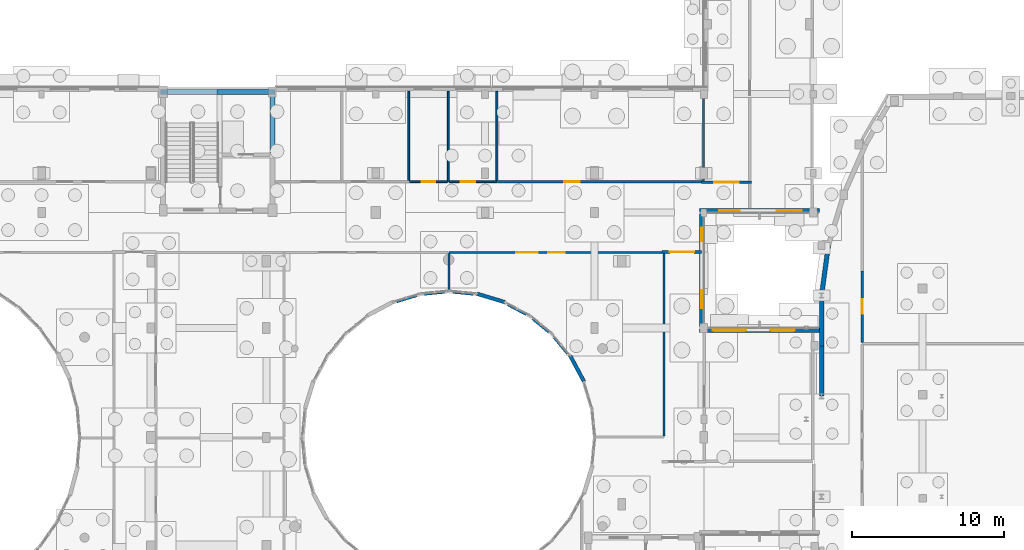
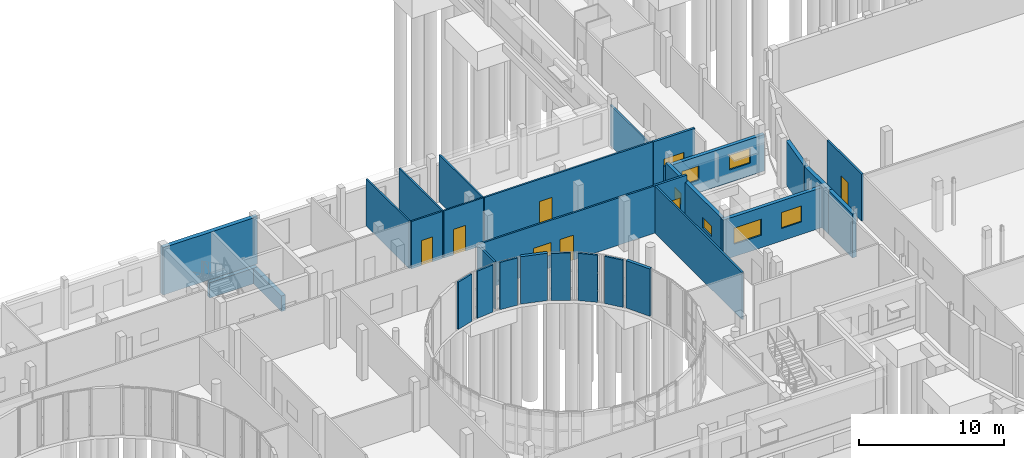
# One storey, part 73 of 93: 30 walls, 7 doors, 7 windows, 14 openings.
"""IFC4 building model written with IfcOpenShell, lengths in metres."""

from ifc_helpers import new_model, si_unit, direction, frame, frame_2d, origin, place, context, subcontext, project, spatial, rectangle, extrude, material, layer, layer_set, type_object, element, fill, save


model = new_model("IFC4")

# Units and contexts
model_context = context("Model", 3, precision=1e-05, world=origin(), true_north=direction((0.0, 1.0)))
body_context = subcontext(model_context, "Body", "Model", "MODEL_VIEW")
ifc_project = project(units=[si_unit("LENGTHUNIT", "METRE"), si_unit("AREAUNIT", "SQUARE_METRE"), si_unit("VOLUMEUNIT", "CUBIC_METRE"), si_unit("PLANEANGLEUNIT", "RADIAN"), si_unit("MASSUNIT", "GRAM", prefix="KILO")], contexts=[model_context])

# Site, building, storey
site_placement = place(None, origin())
site = spatial("IfcSite", under=ifc_project, at=site_placement, CompositionType="ELEMENT")
building_placement = place(site_placement, origin())
building = spatial("IfcBuilding", under=site, at=building_placement, Name="Kelanivale Promenade Academy", CompositionType="ELEMENT")
storey_placement = place(building_placement, origin())
storey = spatial("IfcBuildingStorey", under=building, at=storey_placement, Name="L00", CompositionType="ELEMENT", Elevation=0.0)

# Walls
ifc_material_1 = material(Name="Concrete C40/50", Category="concrete")
ifc_layer_1 = layer(ifc_material_1, 0.330078125)
ifc_layer_set_1 = layer_set([ifc_layer_1], Name="Concrete C40/50")
wall_type_1 = type_object("IfcWallType", Name="CW-S1 Wall 330mm", PredefinedType="SHEAR", material=ifc_layer_set_1)
wall_1_placement = place(storey_placement, frame((83.554931640625, 79.550048828125, -1.550048828125), z_axis=(0.0, 0.0, 1.0), x_axis=(1.0, 0.0, 0.0)))
element("IfcWall", 1, at=wall_1_placement, inside=storey, type_object=wall_type_1, Name="CORE-2 lift pit wall", PredefinedType="SHEAR", context=body_context, shape_type="SweptSolid", body=[
    extrude(rectangle(XDim=3.81005859375, YDim=0.330078125, at=frame_2d((1.905029296875, 0.0))), origin(), (0.0, 0.0, 1.0), 1.300048828125),
])
wall_2_placement = place(storey_placement, frame((87.199951171875, 75.52490234375, -1.550048828125), z_axis=(0.0, 0.0, 1.0), x_axis=(0.0, 1.0, 0.0)))
element("IfcWall", 2, at=wall_2_placement, inside=storey, type_object=wall_type_1, Name="CORE-2 lift pit wall", PredefinedType="SHEAR", context=body_context, shape_type="SweptSolid", body=[
    extrude(rectangle(XDim=3.860107421875, YDim=0.330078125, at=frame_2d((1.93017578125, 0.0))), origin(), (0.0, 0.0, 1.0), 1.300048828125),
])
wall_3_placement = place(storey_placement, frame((79.8349609375, 79.550048828125, 0.0), z_axis=(0.0, 0.0, 1.0), x_axis=(1.0, 0.0, 0.0)))
element("IfcWall", 3, at=wall_3_placement, inside=storey, type_object=wall_type_1, Name="CORE-2 RC shear wall N L00", PredefinedType="SHEAR", context=body_context, shape_type="SweptSolid", body=[
    extrude(rectangle(XDim=7.530029296875, YDim=0.330078125, at=frame_2d((3.76513671875, 0.0))), origin(), (0.0, 0.0, 1.0), 3.97998046875),
])
ifc_material_2 = material(Name="Insulated terracotta-clad masonry wall 300 mm", Category="masonry")
ifc_layer_2 = layer(ifc_material_2, 0.300048828125)
ifc_layer_set_2 = layer_set([ifc_layer_2], Name="Insulated terracotta-clad masonry wall 300 mm")
wall_type_2 = type_object("IfcWallType", Name="EW-01 Wall 300mm", PredefinedType="SOLIDWALL", material=ifc_layer_set_2)
wall_4_placement = place(storey_placement, frame((123.35009765625, 62.8291015625, 0.0), z_axis=(0.0, 0.0, 1.0), x_axis=(0.0, -1.0, 0.0)))
element("IfcWall", 4, at=wall_4_placement, inside=storey, type_object=wall_type_2, Name="Assembly Hall Arc Pavilion inner crescent wall L00", PredefinedType="SOLIDWALL", context=body_context, shape_type="SweptSolid", body=[
    extrude(rectangle(XDim=3.315185546875, YDim=0.300048828125, at=frame_2d((1.65771484375, 0.0))), origin(), (0.0, 0.0, 1.0), 3.679931640625),
])
wall_5_placement = place(storey_placement, frame((123.35009765625, 66.14306640625, 0.0), z_axis=(0.0, 0.0, 1.0), x_axis=(0.0, -1.0, 0.0)))
element("IfcWall", 5, at=wall_5_placement, inside=storey, type_object=wall_type_2, Name="Assembly Hall Arc Pavilion inner crescent wall L00", PredefinedType="SOLIDWALL", context=body_context, shape_type="SweptSolid", body=[
    extrude(rectangle(XDim=3.31396484375, YDim=0.300048828125, at=frame_2d((1.656982421875, 0.0))), origin(), (0.0, 0.0, 1.0), 3.679931640625),
])
wall_6_placement = place(storey_placement, frame((123.800048828125, 69.45703125, 0.0), z_axis=(0.0, 0.0, 1.0), x_axis=(-0.134539839792, -0.990908185206, 0.0)))
element("IfcWall", 6, at=wall_6_placement, inside=storey, type_object=wall_type_2, Name="Assembly Hall Arc Pavilion inner crescent wall L00", PredefinedType="SOLIDWALL", context=body_context, shape_type="SweptSolid", body=[
    extrude(rectangle(XDim=3.344482421875, YDim=0.300048828125, at=frame_2d((1.67236328125, 0.0))), origin(), (0.0, 0.0, 1.0), 3.679931640625),
])

# Wall, openings, windows
ifc_material_3 = material(Name="Insulated ivory stucco masonry wall 280 mm", Category="masonry")
ifc_layer_3 = layer(ifc_material_3, 0.280029296875)
ifc_layer_set_3 = layer_set([ifc_layer_3], Name="Insulated ivory stucco masonry wall 280 mm")
wall_type_3 = type_object("IfcWallType", Name="EW-02 Wall 280mm", PredefinedType="SOLIDWALL", material=ifc_layer_set_3)
wall_7_placement = place(storey_placement, frame((123.199951171875, 63.860107421875, 0.0), z_axis=(0.0, 0.0, 1.0), x_axis=(-1.0, 0.0, 0.0)))
wall_7 = element("IfcWall", 7, at=wall_7_placement, inside=storey, type_object=wall_type_3, Name="L00 exterior facade wall EW-L00-ORT-0293", PredefinedType="SOLIDWALL", context=body_context, shape_type="SweptSolid", body=[
    extrude(rectangle(XDim=7.8798828125, YDim=0.280029296875, at=frame_2d((3.93994140625, 0.0))), origin(), (0.0, 0.0, 1.0), 3.375),
])
opening_1_placement = place(wall_7_placement, frame((1.6201171875, 0.0, 1.050048828125)))
opening_1 = element("IfcOpeningElement", 8, at=opening_1_placement, cuts=wall_7, Name="Opening WT-07", PredefinedType="OPENING", context=body_context, shape_type="SweptSolid", body=[
    extrude(rectangle(XDim=1.60009765625, YDim=1.35009765625, at=frame_2d((0.800048828125, 0.675048828125))), frame((0.0, 0.14990234375, 0.0), z_axis=(0.0, -1.0, 0.0), x_axis=(1.0, 0.0, 0.0)), (0.0, 0.0, 1.0), 0.300048828125),
])
opening_2_placement = place(wall_7_placement, frame((4.81005859375, 0.0, 1.050048828125)))
opening_2 = element("IfcOpeningElement", 9, at=opening_2_placement, cuts=wall_7, Name="Opening WT-08", PredefinedType="OPENING", context=body_context, shape_type="SweptSolid", body=[
    extrude(rectangle(XDim=2.199951171875, YDim=1.35009765625, at=frame_2d((1.10009765625, 0.675048828125))), frame((0.0, 0.14990234375, 0.0), z_axis=(0.0, -1.0, 0.0), x_axis=(1.0, 0.0, 0.0)), (0.0, 0.0, 1.0), 0.300048828125),
])
ifc_material_4 = material(Name="Bronze anodised aluminium frame with low-E laminated glass", Category="aluminium")
window_type_1 = type_object("IfcWindowType", Name="WT-07 Window 1600x1350", PartitioningType="SINGLE_PANEL", PredefinedType="WINDOW", material=ifc_material_4)
window_1_placement = place(opening_1_placement, origin())
window_1 = element("IfcWindow", 10, at=window_1_placement, inside=storey, type_object=window_type_1, Name="Window WT-07", OverallHeight=1.35009765625, OverallWidth=1.60009765625, PartitioningType="SINGLE_PANEL", PredefinedType="WINDOW", context=body_context, shape_type="SweptSolid", body=[
    extrude(rectangle(XDim=1.60009765625, YDim=1.35009765625, at=frame_2d((0.800048828125, 0.675048828125))), frame((0.0, 0.030029296875, 0.0), z_axis=(0.0, -1.0, 0.0), x_axis=(1.0, 0.0, 0.0)), (0.0, 0.0, 1.0), 0.06005859375),
])
fill(opening_1, window_1)
window_type_2 = type_object("IfcWindowType", Name="WT-08 Window 2200x1350", PartitioningType="SINGLE_PANEL", PredefinedType="WINDOW", material=ifc_material_4)
window_2_placement = place(opening_2_placement, origin())
window_2 = element("IfcWindow", 11, at=window_2_placement, inside=storey, type_object=window_type_2, Name="Window WT-08", OverallHeight=1.35009765625, OverallWidth=2.199951171875, PartitioningType="SINGLE_PANEL", PredefinedType="WINDOW", context=body_context, shape_type="SweptSolid", body=[
    extrude(rectangle(XDim=2.199951171875, YDim=1.35009765625, at=frame_2d((1.10009765625, 0.675048828125))), frame((0.0, 0.030029296875, 0.0), z_axis=(0.0, -1.0, 0.0), x_axis=(1.0, 0.0, 0.0)), (0.0, 0.0, 1.0), 0.06005859375),
])
fill(opening_2, window_2)

wall_8_placement = place(storey_placement, frame((115.4599609375, 64.0, 0.0), z_axis=(0.0, 0.0, 1.0), x_axis=(0.0, 1.0, 0.0)))
wall_8 = element("IfcWall", 12, at=wall_8_placement, inside=storey, type_object=wall_type_3, Name="L00 exterior facade wall EW-L00-ORT-0294", PredefinedType="SOLIDWALL", context=body_context, shape_type="SweptSolid", body=[
    extrude(rectangle(XDim=7.60009765625, YDim=0.280029296875, at=frame_2d((3.800048828125, 0.0))), origin(), (0.0, 0.0, 1.0), 3.425048828125),
])
opening_3_placement = place(wall_8_placement, frame((1.300048828125, 0.0, 1.050048828125)))
opening_3 = element("IfcOpeningElement", 13, at=opening_3_placement, cuts=wall_8, Name="Opening WT-09", PredefinedType="OPENING", context=body_context, shape_type="SweptSolid", body=[
    extrude(rectangle(XDim=1.199951171875, YDim=0.89990234375, at=frame_2d((0.60009765625, 0.449951171875))), frame((0.0, 0.14990234375, 0.0), z_axis=(0.0, -1.0, 0.0), x_axis=(1.0, 0.0, 0.0)), (0.0, 0.0, 1.0), 0.300048828125),
])
opening_4_placement = place(wall_8_placement, frame((5.699951171875, 0.0, 1.050048828125)))
opening_4 = element("IfcOpeningElement", 14, at=opening_4_placement, cuts=wall_8, Name="Opening WT-10", PredefinedType="OPENING", context=body_context, shape_type="SweptSolid", body=[
    extrude(rectangle(XDim=0.89990234375, YDim=0.89990234375, at=frame_2d((0.449951171875, 0.449951171875))), frame((0.0, 0.14990234375, 0.0), z_axis=(0.0, -1.0, 0.0), x_axis=(1.0, 0.0, 0.0)), (0.0, 0.0, 1.0), 0.300048828125),
])
window_type_3 = type_object("IfcWindowType", Name="WT-09 Window 1200x900", PartitioningType="SINGLE_PANEL", PredefinedType="WINDOW", material=ifc_material_4)
window_3_placement = place(opening_3_placement, origin())
window_3 = element("IfcWindow", 15, at=window_3_placement, inside=storey, type_object=window_type_3, Name="Window WT-09", OverallHeight=0.89990234375, OverallWidth=1.199951171875, PartitioningType="SINGLE_PANEL", PredefinedType="WINDOW", context=body_context, shape_type="SweptSolid", body=[
    extrude(rectangle(XDim=1.199951171875, YDim=0.89990234375, at=frame_2d((0.60009765625, 0.449951171875))), frame((0.0, 0.030029296875, 0.0), z_axis=(0.0, -1.0, 0.0), x_axis=(1.0, 0.0, 0.0)), (0.0, 0.0, 1.0), 0.06005859375),
])
fill(opening_3, window_3)
window_type_4 = type_object("IfcWindowType", Name="WT-10 Window 900x900", PartitioningType="SINGLE_PANEL", PredefinedType="WINDOW", material=ifc_material_4)
window_4_placement = place(opening_4_placement, origin())
window_4 = element("IfcWindow", 16, at=window_4_placement, inside=storey, type_object=window_type_4, Name="Window WT-10", OverallHeight=0.89990234375, OverallWidth=0.89990234375, PartitioningType="SINGLE_PANEL", PredefinedType="WINDOW", context=body_context, shape_type="SweptSolid", body=[
    extrude(rectangle(XDim=0.89990234375, YDim=0.89990234375, at=frame_2d((0.449951171875, 0.449951171875))), frame((0.0, 0.030029296875, 0.0), z_axis=(0.0, -1.0, 0.0), x_axis=(1.0, 0.0, 0.0)), (0.0, 0.0, 1.0), 0.06005859375),
])
fill(opening_4, window_4)

wall_9_placement = place(storey_placement, frame((115.320068359375, 71.739990234375, 0.0), z_axis=(0.0, 0.0, 1.0), x_axis=(1.0, 0.0, 0.0)))
wall_9 = element("IfcWall", 17, at=wall_9_placement, inside=storey, type_object=wall_type_3, Name="L00 exterior facade wall EW-L00-ORT-0295", PredefinedType="SOLIDWALL", context=body_context, shape_type="SweptSolid", body=[
    extrude(rectangle(XDim=7.8798828125, YDim=0.280029296875, at=frame_2d((3.93994140625, 0.0))), origin(), (0.0, 0.0, 1.0), 3.06494140625),
])
opening_5_placement = place(wall_9_placement, frame((1.294921875, 0.0, 1.050048828125)))
opening_5 = element("IfcOpeningElement", 18, at=opening_5_placement, cuts=wall_9, Name="Opening WT-34", PredefinedType="OPENING", context=body_context, shape_type="SweptSolid", body=[
    extrude(rectangle(XDim=1.35009765625, YDim=1.199951171875, at=frame_2d((0.675048828125, 0.60009765625))), frame((0.0, 0.14990234375, 0.0), z_axis=(0.0, -1.0, 0.0), x_axis=(1.0, 0.0, 0.0)), (0.0, 0.0, 1.0), 0.300048828125),
])
opening_6_placement = place(wall_9_placement, frame((5.0849609375, 0.0, 1.050048828125)))
opening_6 = element("IfcOpeningElement", 19, at=opening_6_placement, cuts=wall_9, Name="Opening WT-35", PredefinedType="OPENING", context=body_context, shape_type="SweptSolid", body=[
    extrude(rectangle(XDim=1.64990234375, YDim=1.25, at=frame_2d((0.824951171875, 0.625))), frame((0.0, 0.14990234375, 0.0), z_axis=(0.0, -1.0, 0.0), x_axis=(1.0, 0.0, 0.0)), (0.0, 0.0, 1.0), 0.300048828125),
])
window_type_5 = type_object("IfcWindowType", Name="WT-34 Window 1350x1200", PartitioningType="SINGLE_PANEL", PredefinedType="WINDOW", material=ifc_material_4)
window_5_placement = place(opening_5_placement, origin())
window_5 = element("IfcWindow", 20, at=window_5_placement, inside=storey, type_object=window_type_5, Name="Window WT-34", OverallHeight=1.199951171875, OverallWidth=1.35009765625, PartitioningType="SINGLE_PANEL", PredefinedType="WINDOW", context=body_context, shape_type="SweptSolid", body=[
    extrude(rectangle(XDim=1.35009765625, YDim=1.199951171875, at=frame_2d((0.675048828125, 0.60009765625))), frame((0.0, 0.030029296875, 0.0), z_axis=(0.0, -1.0, 0.0), x_axis=(1.0, 0.0, 0.0)), (0.0, 0.0, 1.0), 0.06005859375),
])
fill(opening_5, window_5)
window_type_6 = type_object("IfcWindowType", Name="WT-35 Window 1650x1250", PartitioningType="SINGLE_PANEL", PredefinedType="WINDOW", material=ifc_material_4)
window_6_placement = place(opening_6_placement, origin())
window_6 = element("IfcWindow", 21, at=window_6_placement, inside=storey, type_object=window_type_6, Name="Window WT-35", OverallHeight=1.25, OverallWidth=1.64990234375, PartitioningType="SINGLE_PANEL", PredefinedType="WINDOW", context=body_context, shape_type="SweptSolid", body=[
    extrude(rectangle(XDim=1.64990234375, YDim=1.25, at=frame_2d((0.824951171875, 0.625))), frame((0.0, 0.030029296875, 0.0), z_axis=(0.0, -1.0, 0.0), x_axis=(1.0, 0.0, 0.0)), (0.0, 0.0, 1.0), 0.06005859375),
])
fill(opening_6, window_6)

# Walls
ifc_material_5 = material(Name="Insulated courtyard stucco masonry wall 240 mm", Category="masonry")
ifc_layer_4 = layer(ifc_material_5, 0.239990234375)
ifc_layer_set_4 = layer_set([ifc_layer_4], Name="Insulated courtyard stucco masonry wall 240 mm")
wall_type_4 = type_object("IfcWallType", Name="EW-04 Wall 240mm", PredefinedType="SOLIDWALL", material=ifc_layer_set_4)
wall_10_placement = place(storey_placement, frame((102.5, 65.7041015625, 0.0), z_axis=(0.0, 0.0, 1.0), x_axis=(-0.957113490504, 0.289713248393, 0.0)))
element("IfcWall", 22, at=wall_10_placement, inside=storey, type_object=wall_type_4, Name="L00 round courtyard stucco wall", PredefinedType="SOLIDWALL", context=body_context, shape_type="SweptSolid", body=[
    extrude(rectangle(XDim=1.912109375, YDim=0.239990234375, at=frame_2d((0.9560546875, 0.0))), origin(), (0.0, 0.0, 1.0), 3.97998046875),
])
wall_11_placement = place(storey_placement, frame((107.7119140625, 60.47900390625, 0.0), z_axis=(0.0, 0.0, 1.0), x_axis=(-0.471449153109, 0.881893245259, 0.0)))
element("IfcWall", 23, at=wall_11_placement, inside=storey, type_object=wall_type_4, Name="L00 round courtyard stucco wall", PredefinedType="SOLIDWALL", context=body_context, shape_type="SweptSolid", body=[
    extrude(rectangle(XDim=1.912841796875, YDim=0.239990234375, at=frame_2d((0.95654296875, 0.0))), origin(), (0.0, 0.0, 1.0), 3.97998046875),
])

# Wall, opening, door
ifc_material_6 = material(Name="Autoclaved masonry blockwork 180 mm", Category="masonry")
ifc_layer_5 = layer(ifc_material_6, 0.179931640625)
ifc_layer_set_5 = layer_set([ifc_layer_5], Name="Autoclaved masonry blockwork 180 mm")
wall_type_5 = type_object("IfcWallType", Name="IW-02 Wall 180mm", PredefinedType="PARTITIONING", material=ifc_layer_set_5)
wall_12_placement = place(storey_placement, frame((112.85009765625, 69.0, 0.0), z_axis=(0.0, 0.0, 1.0), x_axis=(1.0, 0.0, 0.0)))
wall_12 = element("IfcWall", 24, at=wall_12_placement, inside=storey, type_object=wall_type_5, Name="L00 cross-corridor fire wall", PredefinedType="PARTITIONING", context=body_context, shape_type="SweptSolid", body=[
    extrude(rectangle(XDim=2.60888671875, YDim=0.179931640625, at=frame_2d((1.304443359375, 0.0))), origin(), (0.0, 0.0, 1.0), 3.97998046875),
])
opening_7_placement = place(wall_12_placement, frame((0.5048828125, 0.0, 0.0)))
opening_7 = element("IfcOpeningElement", 25, at=opening_7_placement, cuts=wall_12, Name="Opening FD-L00-CC-007", PredefinedType="OPENING", context=body_context, shape_type="SweptSolid", body=[
    extrude(rectangle(XDim=1.60009765625, YDim=2.25, at=frame_2d((0.800048828125, 1.125))), frame((0.0, 0.10009765625, 0.0), z_axis=(0.0, -1.0, 0.0), x_axis=(1.0, 0.0, 0.0)), (0.0, 0.0, 1.0), 0.199951171875),
])
ifc_material_7 = material(Name="Fire-rated steel-core teak veneer", Category="steel")
door_type_1 = type_object("IfcDoorType", Name="DT-F09 Door 1600x2250", OperationType="NOTDEFINED", PredefinedType="DOOR", material=ifc_material_7)
door_1_placement = place(opening_7_placement, origin())
door_1 = element("IfcDoor", 26, at=door_1_placement, inside=storey, type_object=door_type_1, Name="L00 cross-corridor fire door FD-L00-CC-007", OperationType="DOUBLE_DOOR_SINGLE_SWING", OverallHeight=2.25, OverallWidth=1.60009765625, PredefinedType="DOOR", context=body_context, shape_type="SweptSolid", body=[
    extrude(rectangle(XDim=1.60009765625, YDim=2.25, at=frame_2d((0.800048828125, 1.125))), frame((0.0, 0.02490234375, 0.0), z_axis=(0.0, -1.0, 0.0), x_axis=(1.0, 0.0, 0.0)), (0.0, 0.0, 1.0), 0.050048828125),
])
fill(opening_7, door_1)

wall_13_placement = place(storey_placement, frame((115.449951171875, 73.60009765625, 0.0), z_axis=(0.0, 0.0, 1.0), x_axis=(1.0, 0.0, 0.0)))
wall_13 = element("IfcWall", 27, at=wall_13_placement, inside=storey, type_object=wall_type_5, Name="L00 cross-corridor fire wall", PredefinedType="PARTITIONING", context=body_context, shape_type="SweptSolid", body=[
    extrude(rectangle(XDim=3.297119140625, YDim=0.179931640625, at=frame_2d((1.6484375, 0.0))), origin(), (0.0, 0.0, 1.0), 3.97998046875),
])
opening_8_placement = place(wall_13_placement, frame((0.847900390625, 0.0, 0.0)))
opening_8 = element("IfcOpeningElement", 28, at=opening_8_placement, cuts=wall_13, Name="Opening FD-L00-CC-008", PredefinedType="OPENING", context=body_context, shape_type="SweptSolid", body=[
    extrude(rectangle(XDim=1.60009765625, YDim=2.25, at=frame_2d((0.800048828125, 1.125))), frame((0.0, 0.10009765625, 0.0), z_axis=(0.0, -1.0, 0.0), x_axis=(1.0, 0.0, 0.0)), (0.0, 0.0, 1.0), 0.199951171875),
])
door_2_placement = place(opening_8_placement, origin())
door_2 = element("IfcDoor", 29, at=door_2_placement, inside=storey, type_object=door_type_1, Name="L00 cross-corridor fire door FD-L00-CC-008", OperationType="DOUBLE_DOOR_SINGLE_SWING", OverallHeight=2.25, OverallWidth=1.60009765625, PredefinedType="DOOR", context=body_context, shape_type="SweptSolid", body=[
    extrude(rectangle(XDim=1.60009765625, YDim=2.25, at=frame_2d((0.800048828125, 1.125))), frame((0.0, 0.02490234375, 0.0), z_axis=(0.0, -1.0, 0.0), x_axis=(1.0, 0.0, 0.0)), (0.0, 0.0, 1.0), 0.050048828125),
])
fill(opening_8, door_2)

ifc_material_8 = material(Name="Acoustic gypsum-lined masonry partition 150 mm", Category="masonry")
ifc_layer_6 = layer(ifc_material_8, 0.14990234375)
ifc_layer_set_6 = layer_set([ifc_layer_6], Name="Acoustic gypsum-lined masonry partition 150 mm")
wall_type_6 = type_object("IfcWallType", Name="IW-03 Wall 150mm", PredefinedType="PARTITIONING", material=ifc_layer_set_6)
wall_14_placement = place(storey_placement, frame((126.030029296875, 67.77001953125, 0.0), z_axis=(0.0, 0.0, 1.0), x_axis=(0.0, -1.0, 0.0)))
wall_14 = element("IfcWall", 30, at=wall_14_placement, inside=storey, type_object=wall_type_6, Name="L00 partition Orchestra Instrument Store", PredefinedType="PARTITIONING", context=body_context, shape_type="SweptSolid", body=[
    extrude(rectangle(XDim=4.73193359375, YDim=0.14990234375, at=frame_2d((2.365966796875, 0.0))), origin(), (0.0, 0.0, 1.0), 3.929931640625),
])
opening_9_placement = place(wall_14_placement, frame((1.89111328125, 0.0, 0.0)))
opening_9 = element("IfcOpeningElement", 31, at=opening_9_placement, cuts=wall_14, Name="Opening ID-L00-020", PredefinedType="OPENING", context=body_context, shape_type="SweptSolid", body=[
    extrude(rectangle(XDim=0.949951171875, YDim=2.10009765625, at=frame_2d((0.47509765625, 1.050048828125))), frame((0.0, 0.0849609375, 0.0), z_axis=(0.0, -1.0, 0.0), x_axis=(1.0, 0.0, 0.0)), (0.0, 0.0, 1.0), 0.169921875),
])
door_type_2 = type_object("IfcDoorType", Name="DT-F07 Door 950x2100", OperationType="NOTDEFINED", PredefinedType="DOOR", material=ifc_material_7)
door_3_placement = place(opening_9_placement, origin())
door_3 = element("IfcDoor", 32, at=door_3_placement, inside=storey, type_object=door_type_2, Name="Orchestra Instrument Store door ID-L00-020", OperationType="SINGLE_SWING_RIGHT", OverallHeight=2.10009765625, OverallWidth=0.949951171875, PredefinedType="DOOR", context=body_context, shape_type="SweptSolid", body=[
    extrude(rectangle(XDim=0.949951171875, YDim=2.10009765625, at=frame_2d((0.47509765625, 1.050048828125))), frame((0.0, 0.02490234375, 0.0), z_axis=(0.0, -1.0, 0.0), x_axis=(1.0, 0.0, 0.0)), (0.0, 0.0, 1.0), 0.050048828125),
])
fill(opening_9, door_3)

# Wall
ifc_material_9 = material(Name="Acoustic double-stud gypsum board partition 140 mm", Category="masonry")
ifc_layer_7 = layer(ifc_material_9, 0.139892578125)
ifc_layer_set_7 = layer_set([ifc_layer_7], Name="Acoustic double-stud gypsum board partition 140 mm")
wall_type_7 = type_object("IfcWallType", Name="IW-04 Wall 140mm", PredefinedType="PARTITIONING", material=ifc_layer_set_7)
wall_15_placement = place(storey_placement, frame((112.969970703125, 56.89794921875, 0.0), z_axis=(0.0, 0.0, 1.0), x_axis=(0.0, 1.0, 0.0)))
element("IfcWall", 33, at=wall_15_placement, inside=storey, type_object=wall_type_7, Name="L00 partition Humanities Seminar East B", PredefinedType="PARTITIONING", context=body_context, shape_type="SweptSolid", body=[
    extrude(rectangle(XDim=12.01416015625, YDim=0.139892578125, at=frame_2d((6.007080078125, 0.0))), origin(), (0.0, 0.0, 1.0), 3.97509765625),
])

# Wall, openings, door, window
wall_16_placement = place(storey_placement, frame((112.969970703125, 68.969970703125, 0.0), z_axis=(0.0, 0.0, 1.0), x_axis=(-1.0, 0.0, 0.0)))
wall_16 = element("IfcWall", 34, at=wall_16_placement, inside=storey, type_object=wall_type_7, Name="L00 partition Humanities Seminar East B", PredefinedType="PARTITIONING", context=body_context, shape_type="SweptSolid", body=[
    extrude(rectangle(XDim=14.139892578125, YDim=0.139892578125, at=frame_2d((7.06982421875, 0.0))), origin(), (0.0, 0.0, 1.0), 3.97509765625),
])
opening_10_placement = place(wall_16_placement, frame((6.52001953125, 0.0, 0.0)))
opening_10 = element("IfcOpeningElement", 35, at=opening_10_placement, cuts=wall_16, Name="Opening ID-L00-040", PredefinedType="OPENING", context=body_context, shape_type="SweptSolid", body=[
    extrude(rectangle(XDim=1.10009765625, YDim=2.10009765625, at=frame_2d((0.550048828125, 1.050048828125))), frame((0.0, 0.080078125, 0.0), z_axis=(0.0, -1.0, 0.0), x_axis=(1.0, 0.0, 0.0)), (0.0, 0.0, 1.0), 0.159912109375),
])
opening_11_placement = place(wall_16_placement, frame((8.320068359375, 0.0, 1.050048828125)))
opening_11 = element("IfcOpeningElement", 36, at=opening_11_placement, cuts=wall_16, Name="Opening WT-I03", PredefinedType="OPENING", context=body_context, shape_type="SweptSolid", body=[
    extrude(rectangle(XDim=1.39990234375, YDim=1.050048828125, at=frame_2d((0.699951171875, 0.52490234375))), frame((0.0, 0.080078125, 0.0), z_axis=(0.0, -1.0, 0.0), x_axis=(1.0, 0.0, 0.0)), (0.0, 0.0, 1.0), 0.159912109375),
])
ifc_material_10 = material(Name="Solid-core tropical teak timber", Category="wood")
door_type_3 = type_object("IfcDoorType", Name="DT-I03 Door 1100x2100", OperationType="NOTDEFINED", PredefinedType="DOOR", material=ifc_material_10)
door_4_placement = place(opening_10_placement, origin())
door_4 = element("IfcDoor", 37, at=door_4_placement, inside=storey, type_object=door_type_3, Name="Humanities Seminar East B door ID-L00-040", OperationType="SINGLE_SWING_LEFT", OverallHeight=2.10009765625, OverallWidth=1.10009765625, PredefinedType="DOOR", context=body_context, shape_type="SweptSolid", body=[
    extrude(rectangle(XDim=1.10009765625, YDim=2.10009765625, at=frame_2d((0.550048828125, 1.050048828125))), frame((0.0, 0.02490234375, 0.0), z_axis=(0.0, -1.0, 0.0), x_axis=(1.0, 0.0, 0.0)), (0.0, 0.0, 1.0), 0.050048828125),
])
fill(opening_10, door_4)
window_type_7 = type_object("IfcWindowType", Name="WT-I03 Window 1400x1050", PartitioningType="SINGLE_PANEL", PredefinedType="WINDOW", material=ifc_material_4)
window_7_placement = place(opening_11_placement, origin())
window_7 = element("IfcWindow", 38, at=window_7_placement, inside=storey, type_object=window_type_7, Name="Interior observation window WT-I03", OverallHeight=1.050048828125, OverallWidth=1.39990234375, PartitioningType="SINGLE_PANEL", PredefinedType="WINDOW", context=body_context, shape_type="SweptSolid", body=[
    extrude(rectangle(XDim=1.39990234375, YDim=1.050048828125, at=frame_2d((0.699951171875, 0.52490234375))), frame((0.0, 0.030029296875, 0.0), z_axis=(0.0, -1.0, 0.0), x_axis=(1.0, 0.0, 0.0)), (0.0, 0.0, 1.0), 0.06005859375),
])
fill(opening_11, window_7)

# Walls
wall_17_placement = place(storey_placement, frame((98.830078125, 68.902099609375, 0.0), z_axis=(0.0, 0.0, 1.0), x_axis=(0.0, -1.0, 0.0)))
element("IfcWall", 39, at=wall_17_placement, inside=storey, type_object=wall_type_7, Name="L00 partition Humanities Seminar East B", PredefinedType="PARTITIONING", context=body_context, shape_type="SweptSolid", body=[
    extrude(rectangle(XDim=2.385986328125, YDim=0.139892578125, at=frame_2d((1.19287109375, 0.0))), origin(), (0.0, 0.0, 1.0), 3.97509765625),
])
wall_18_placement = place(storey_placement, frame((99.076904296875, 66.343017578125, 0.0), z_axis=(0.0, 0.0, 1.0), x_axis=(0.995112801185, -0.098744685517, 0.0)))
element("IfcWall", 40, at=wall_18_placement, inside=storey, type_object=wall_type_7, Name="L00 partition Humanities Seminar East B", PredefinedType="PARTITIONING", context=body_context, shape_type="SweptSolid", body=[
    extrude(rectangle(XDim=1.337646484375, YDim=0.139892578125, at=frame_2d((0.6689453125, 0.0))), origin(), (0.0, 0.0, 1.0), 3.97509765625),
])
for number, where, z_axis, x_axis, name in (
    (41, (102.69091796875, 65.51904296875, 0.0), (0.0, 0.0, 1.0), (0.882123740571, -0.471017734614, 0.0), "L00 partition Humanities Seminar East B"),
    (42, (104.318115234375, 64.593017578125, 0.0), (0.0, 0.0, 1.0), (0.772890106497, -0.634539898886, 0.0), "L00 partition Humanities Seminar East B"),
    (43, (105.73193359375, 63.366943359375, 0.0), (0.0, 0.0, 1.0), (0.634539898886, -0.772890106497, 0.0), "L00 partition Humanities Seminar East B"),
):
    element("IfcWall", number, at=place(storey_placement, frame(where, z_axis=z_axis, x_axis=x_axis)), inside=storey, type_object=wall_type_7, Name=name, PredefinedType="PARTITIONING", context=body_context, shape_type="SweptSolid", body=[
        extrude(rectangle(XDim=1.35693359375, YDim=0.139892578125, at=frame_2d((0.678466796875, 0.0))), origin(), (0.0, 0.0, 1.0), 3.97509765625),
    ])
wall_19_placement = place(storey_placement, frame((95.385986328125, 65.717041015625, 0.0), z_axis=(0.0, 0.0, 1.0), x_axis=(0.956945716193, 0.290266939661, 0.0)))
element("IfcWall", 44, at=wall_19_placement, inside=storey, type_object=wall_type_7, Name="L00 partition Humanities Seminar Courtyard East-North", PredefinedType="PARTITIONING", context=body_context, shape_type="SweptSolid", body=[
    extrude(rectangle(XDim=1.357421875, YDim=0.139892578125, at=frame_2d((0.6787109375, 0.0))), origin(), (0.0, 0.0, 1.0), 3.97509765625),
])
wall_20_placement = place(storey_placement, frame((97.19189453125, 66.2109375, 0.0), z_axis=(0.0, 0.0, 1.0), x_axis=(0.995112801185, 0.098744685517, 0.0)))
element("IfcWall", 45, at=wall_20_placement, inside=storey, type_object=wall_type_7, Name="L00 partition Humanities Seminar Courtyard East-North", PredefinedType="PARTITIONING", context=body_context, shape_type="SweptSolid", body=[
    extrude(rectangle(XDim=1.337646484375, YDim=0.139892578125, at=frame_2d((0.6689453125, 0.0))), origin(), (0.0, 0.0, 1.0), 3.97509765625),
])

# Wall, opening, door
wall_21_placement = place(storey_placement, frame((102.030029296875, 73.6298828125, 0.0), z_axis=(0.0, 0.0, 1.0), x_axis=(1.0, 0.0, 0.0)))
wall_21 = element("IfcWall", 46, at=wall_21_placement, inside=storey, type_object=wall_type_7, Name="L00 partition Junior Classroom North East", PredefinedType="PARTITIONING", context=body_context, shape_type="SweptSolid", body=[
    extrude(rectangle(XDim=13.5400390625, YDim=0.139892578125, at=frame_2d((6.77001953125, 0.0))), origin(), (0.0, 0.0, 1.0), 3.97509765625),
])
opening_12_placement = place(wall_21_placement, frame((4.388916015625, 0.0, 0.0)))
opening_12 = element("IfcOpeningElement", 47, at=opening_12_placement, cuts=wall_21, Name="Opening ID-L00-047", PredefinedType="OPENING", context=body_context, shape_type="SweptSolid", body=[
    extrude(rectangle(XDim=1.0, YDim=2.10009765625, at=frame_2d((0.5, 1.050048828125))), frame((0.0, 0.080078125, 0.0), z_axis=(0.0, -1.0, 0.0), x_axis=(1.0, 0.0, 0.0)), (0.0, 0.0, 1.0), 0.159912109375),
])
door_type_4 = type_object("IfcDoorType", Name="DT-I01 Door 1000x2100", OperationType="NOTDEFINED", PredefinedType="DOOR", material=ifc_material_10)
door_5_placement = place(opening_12_placement, origin())
door_5 = element("IfcDoor", 48, at=door_5_placement, inside=storey, type_object=door_type_4, Name="Junior Classroom North East door ID-L00-047", OperationType="SINGLE_SWING_RIGHT", OverallHeight=2.10009765625, OverallWidth=1.0, PredefinedType="DOOR", context=body_context, shape_type="SweptSolid", body=[
    extrude(rectangle(XDim=1.0, YDim=2.10009765625, at=frame_2d((0.5, 1.050048828125))), frame((0.0, 0.02490234375, 0.0), z_axis=(0.0, -1.0, 0.0), x_axis=(1.0, 0.0, 0.0)), (0.0, 0.0, 1.0), 0.050048828125),
])
fill(opening_12, door_5)

# Walls
wall_22_placement = place(storey_placement, frame((115.570068359375, 73.697998046875, 0.0), z_axis=(0.0, 0.0, 1.0), x_axis=(0.0, 1.0, 0.0)))
element("IfcWall", 49, at=wall_22_placement, inside=storey, type_object=wall_type_7, Name="L00 partition Junior Classroom North East", PredefinedType="PARTITIONING", context=body_context, shape_type="SweptSolid", body=[
    extrude(rectangle(XDim=5.8740234375, YDim=0.139892578125, at=frame_2d((2.93701171875, 0.0))), origin(), (0.0, 0.0, 1.0), 3.425048828125),
])
ifc_material_11 = material(Name="Moisture-resistant masonry wet-room partition 125 mm", Category="masonry")
ifc_layer_8 = layer(ifc_material_11, 0.125)
ifc_layer_set_8 = layer_set([ifc_layer_8], Name="Moisture-resistant masonry wet-room partition 125 mm")
wall_type_8 = type_object("IfcWallType", Name="IW-05 Wall 125mm", PredefinedType="PARTITIONING", material=ifc_layer_set_8)
wall_23_placement = place(storey_placement, frame((96.169921875, 73.69091796875, 0.0), z_axis=(0.0, 0.0, 1.0), x_axis=(0.0, 1.0, 0.0)))
element("IfcWall", 50, at=wall_23_placement, inside=storey, type_object=wall_type_8, Name="L00 partition Girls Washroom", PredefinedType="PARTITIONING", context=body_context, shape_type="SweptSolid", body=[
    extrude(rectangle(XDim=5.881103515625, YDim=0.125, at=frame_2d((2.9404296875, 0.0))), origin(), (0.0, 0.0, 1.0), 3.97509765625),
])
wall_24_placement = place(storey_placement, frame((98.77001953125, 73.6298828125, 0.0), z_axis=(0.0, 0.0, 1.0), x_axis=(0.0, 1.0, 0.0)))
element("IfcWall", 51, at=wall_24_placement, inside=storey, type_object=wall_type_8, Name="L00 partition Staff Washroom", PredefinedType="PARTITIONING", context=body_context, shape_type="SweptSolid", body=[
    extrude(rectangle(XDim=5.942138671875, YDim=0.125, at=frame_2d((2.97119140625, 0.0))), origin(), (0.0, 0.0, 1.0), 3.97509765625),
])

# Wall, opening, door
wall_25_placement = place(storey_placement, frame((96.22998046875, 73.6298828125, 0.0), z_axis=(0.0, 0.0, 1.0), x_axis=(1.0, 0.0, 0.0)))
wall_25 = element("IfcWall", 52, at=wall_25_placement, inside=storey, type_object=wall_type_8, Name="L00 partition Staff Washroom", PredefinedType="PARTITIONING", context=body_context, shape_type="SweptSolid", body=[
    extrude(rectangle(XDim=2.47900390625, YDim=0.125, at=frame_2d((1.239501953125, 0.0))), origin(), (0.0, 0.0, 1.0), 3.97509765625),
])
opening_13_placement = place(wall_25_placement, frame((0.7890625, 0.0, 0.0)))
opening_13 = element("IfcOpeningElement", 53, at=opening_13_placement, cuts=wall_25, Name="Opening ID-L00-045", PredefinedType="OPENING", context=body_context, shape_type="SweptSolid", body=[
    extrude(rectangle(XDim=0.89990234375, YDim=2.10009765625, at=frame_2d((0.449951171875, 1.050048828125))), frame((0.0, 0.072509765625, 0.0), z_axis=(0.0, -1.0, 0.0), x_axis=(1.0, 0.0, 0.0)), (0.0, 0.0, 1.0), 0.14501953125),
])
door_type_5 = type_object("IfcDoorType", Name="DT-I06 Door 900x2100", OperationType="NOTDEFINED", PredefinedType="DOOR", material=ifc_material_10)
door_6_placement = place(opening_13_placement, origin())
door_6 = element("IfcDoor", 54, at=door_6_placement, inside=storey, type_object=door_type_5, Name="Staff Washroom door ID-L00-045", OperationType="SINGLE_SWING_RIGHT", OverallHeight=2.10009765625, OverallWidth=0.89990234375, PredefinedType="DOOR", context=body_context, shape_type="SweptSolid", body=[
    extrude(rectangle(XDim=0.89990234375, YDim=2.10009765625, at=frame_2d((0.449951171875, 1.050048828125))), frame((0.0, 0.02490234375, 0.0), z_axis=(0.0, -1.0, 0.0), x_axis=(1.0, 0.0, 0.0)), (0.0, 0.0, 1.0), 0.050048828125),
])
fill(opening_13, door_6)

wall_26_placement = place(storey_placement, frame((98.8310546875, 73.6298828125, 0.0), z_axis=(0.0, 0.0, 1.0), x_axis=(1.0, 0.0, 0.0)))
wall_26 = element("IfcWall", 55, at=wall_26_placement, inside=storey, type_object=wall_type_8, Name="L00 partition Wheelchair Accessible WC", PredefinedType="PARTITIONING", context=body_context, shape_type="SweptSolid", body=[
    extrude(rectangle(XDim=3.138916015625, YDim=0.125, at=frame_2d((1.5693359375, 0.0))), origin(), (0.0, 0.0, 1.0), 3.97509765625),
])
opening_14_placement = place(wall_26_placement, frame((0.76611328125, 0.0, 0.0)))
opening_14 = element("IfcOpeningElement", 56, at=opening_14_placement, cuts=wall_26, Name="Opening ID-L00-046", PredefinedType="OPENING", context=body_context, shape_type="SweptSolid", body=[
    extrude(rectangle(XDim=0.949951171875, YDim=2.14990234375, at=frame_2d((0.47509765625, 1.074951171875))), frame((0.0, 0.072509765625, 0.0), z_axis=(0.0, -1.0, 0.0), x_axis=(1.0, 0.0, 0.0)), (0.0, 0.0, 1.0), 0.14501953125),
])
door_type_6 = type_object("IfcDoorType", Name="DT-I05 Door 950x2150", OperationType="NOTDEFINED", PredefinedType="DOOR", material=ifc_material_10)
door_7_placement = place(opening_14_placement, frame((0.949951171875, 0.0, 0.0), z_axis=(0.0, 0.0, 1.0), x_axis=(-1.0, 0.0, 0.0)))
door_7 = element("IfcDoor", 57, at=door_7_placement, inside=storey, type_object=door_type_6, Name="Wheelchair Accessible WC door ID-L00-046", OperationType="SINGLE_SWING_LEFT", OverallHeight=2.14990234375, OverallWidth=0.949951171875, PredefinedType="DOOR", context=body_context, shape_type="SweptSolid", body=[
    extrude(rectangle(XDim=0.949951171875, YDim=2.14990234375, at=frame_2d((0.47509765625, 1.074951171875))), frame((0.0, 0.02490234375, 0.0), z_axis=(0.0, -1.0, 0.0), x_axis=(1.0, 0.0, 0.0)), (0.0, 0.0, 1.0), 0.050048828125),
])
fill(opening_14, door_7)

# Wall
wall_27_placement = place(storey_placement, frame((101.969970703125, 73.69091796875, 0.0), z_axis=(0.0, 0.0, 1.0), x_axis=(0.0, 1.0, 0.0)))
element("IfcWall", 58, at=wall_27_placement, inside=storey, type_object=wall_type_8, Name="L00 partition Wheelchair Accessible WC", PredefinedType="PARTITIONING", context=body_context, shape_type="SweptSolid", body=[
    extrude(rectangle(XDim=5.881103515625, YDim=0.125, at=frame_2d((2.9404296875, 0.0))), origin(), (0.0, 0.0, 1.0), 3.97509765625),
])

save(model, "model.ifc")
